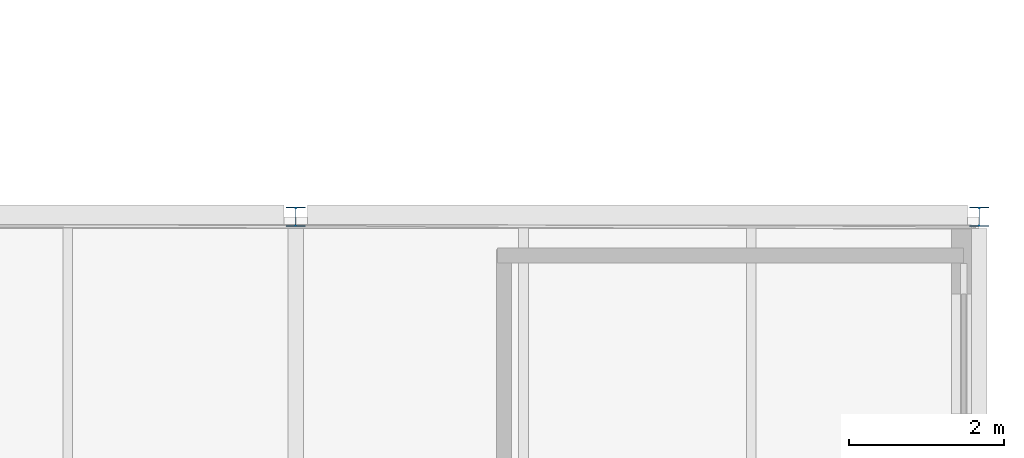
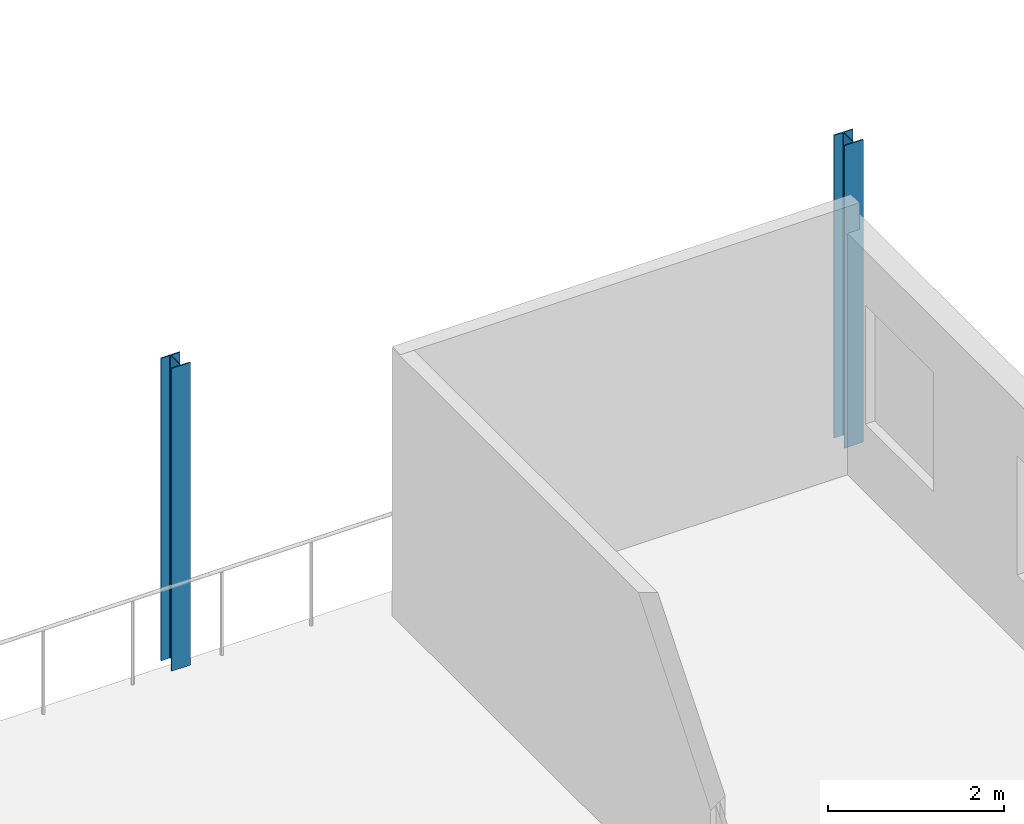
# One storey, part 14 of 58: 2 columns.
"""IFC4 building model written with IfcOpenShell, lengths in metres."""

from ifc_helpers import new_model, si_unit, direction, frame, origin, origin_2d, place, context, subcontext, project, spatial, i_section, extrude, material, material_profile, profile_set, type_object, element, save


model = new_model("IFC4")

# Units and contexts
model_context = context("Model", 3, precision=1e-05, world=origin(), true_north=direction((0.0, 1.0)))
body_context = subcontext(model_context, "Body", "Model", "MODEL_VIEW")
ifc_project = project(units=[si_unit("LENGTHUNIT", "METRE"), si_unit("AREAUNIT", "SQUARE_METRE"), si_unit("VOLUMEUNIT", "CUBIC_METRE"), si_unit("PLANEANGLEUNIT", "RADIAN"), si_unit("MASSUNIT", "GRAM", prefix="KILO")], contexts=[model_context])

# Site, building, storey
site_placement = place(None, origin())
site = spatial("IfcSite", under=ifc_project, at=site_placement, CompositionType="ELEMENT")
building_placement = place(site_placement, origin())
building = spatial("IfcBuilding", under=site, at=building_placement, Name="Yeouljin Market Hall", CompositionType="ELEMENT")
storey_placement = place(building_placement, frame((0.0, 0.0, 10.800048828125)))
storey = spatial("IfcBuildingStorey", under=building, at=storey_placement, Name="L02", CompositionType="ELEMENT", Elevation=10.800048828125)

# Columns
ifc_material = material(Name="Steel SM355", Category="steel")
ifc_material_profile = material_profile(ifc_material, i_section(OverallWidth=0.25, OverallDepth=0.25, WebThickness=0.009033203125, FlangeThickness=0.013916015625, FilletRadius=0.01611328125, at=origin_2d()), Name="H-250x250x9x14")
ifc_profile_set = profile_set([ifc_material_profile], Name="Steel SM355")
column_type = type_object("IfcColumnType", Name="Col_H-250x250x9x14", PredefinedType="COLUMN", material=ifc_profile_set)
for number, where, z_axis, x_axis, name in (
    (1, (167.570068359375, 36.0, 0.0), (0.0, 0.0, 1.0), (1.0, 0.0, 0.0), "Column G-20-04 (L02)"),
    (2, (176.39990234375, 36.0, 0.0), (0.0, 0.0, 1.0), (1.0, 0.0, 0.0), "Column G-21-04 (L02)"),
):
    element("IfcColumn", number, at=place(storey_placement, frame(where, z_axis=z_axis, x_axis=x_axis)), inside=storey, type_object=column_type, Name=name, PredefinedType="COLUMN", context=body_context, shape_type="SweptSolid", body=[
        extrude(i_section(OverallWidth=0.25, OverallDepth=0.25, WebThickness=0.009033203125, FlangeThickness=0.013916015625, FilletRadius=0.01611328125, at=origin_2d()), origin(), (0.0, 0.0, 1.0), 4.199951171875),
    ])

save(model, "model.ifc")
